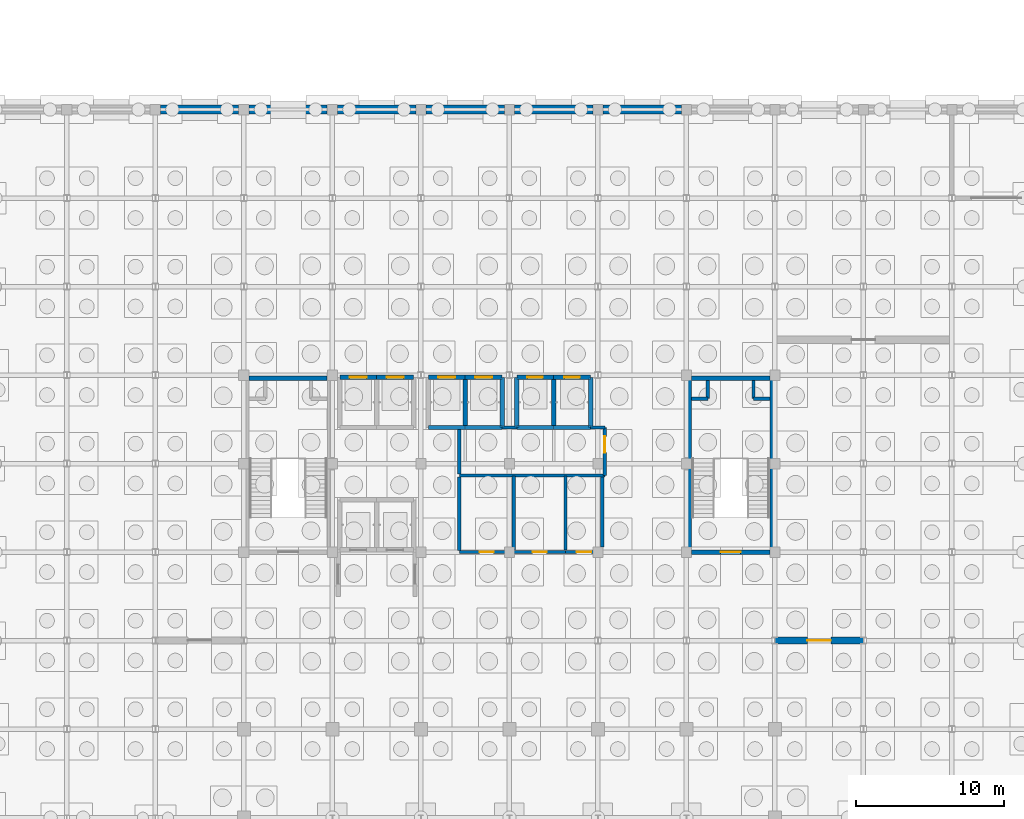
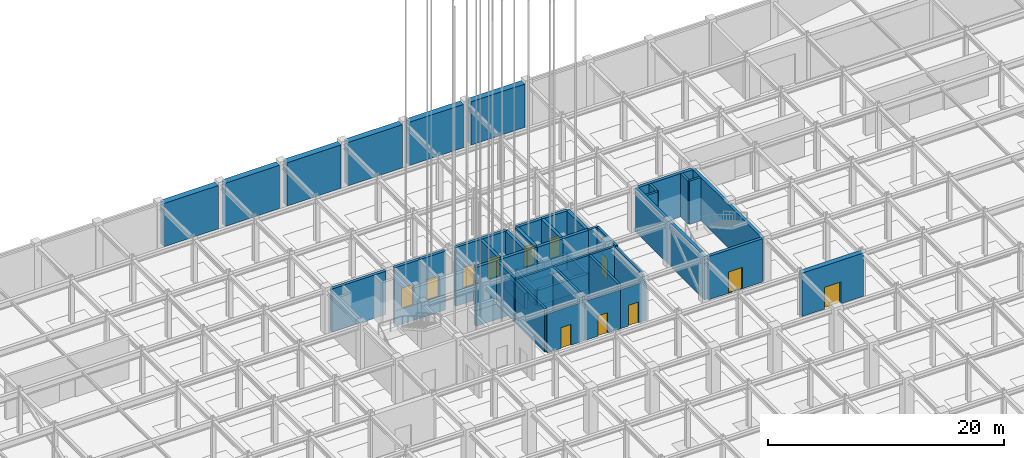
# One storey, part 47 of 69: 51 walls, 12 doors, 12 openings.
"""IFC4 building model written with IfcOpenShell, lengths in metres."""

from ifc_helpers import new_model, si_unit, direction, frame, frame_2d, origin, place, context, subcontext, project, spatial, rectangle, extrude, material, layer, layer_set, type_object, element, fill, save


model = new_model("IFC4")

# Units and contexts
model_context = context("Model", 3, precision=1e-05, world=origin(), true_north=direction((0.0, 1.0)))
body_context = subcontext(model_context, "Body", "Model", "MODEL_VIEW")
ifc_project = project(units=[si_unit("LENGTHUNIT", "METRE"), si_unit("AREAUNIT", "SQUARE_METRE"), si_unit("VOLUMEUNIT", "CUBIC_METRE"), si_unit("PLANEANGLEUNIT", "RADIAN"), si_unit("MASSUNIT", "GRAM", prefix="KILO")], contexts=[model_context])

# Site, building, storey
site_placement = place(None, origin())
site = spatial("IfcSite", under=ifc_project, at=site_placement, CompositionType="ELEMENT")
building_placement = place(site_placement, origin())
building = spatial("IfcBuilding", under=site, at=building_placement, Name="Zlatovratsky Civic Hall", CompositionType="ELEMENT")
storey_placement = place(building_placement, frame((0.0, 0.0, -4.800048828125)))
storey = spatial("IfcBuildingStorey", under=building, at=storey_placement, Name="B1", CompositionType="ELEMENT", Elevation=-4.800048828125)

# Wall, opening, door
ifc_material_1 = material(Name="Concrete C35/45 (B40)", Category="concrete")
ifc_layer_1 = layer(ifc_material_1, 0.47998046875)
ifc_layer_set_1 = layer_set([ifc_layer_1], Name="Concrete C35/45 (B40)")
wall_type_1 = type_object("IfcWallType", Name="Wall_LowerCoreShear_480", PredefinedType="SHEAR", material=ifc_layer_set_1)
wall_1_placement = place(storey_placement, frame((102.0, 78.0, 0.0), z_axis=(0.0, 0.0, 1.0), x_axis=(1.0, 0.0, 0.0)))
wall_1 = element("IfcWall", 1, at=wall_1_placement, inside=storey, type_object=wall_type_1, Name="WL-6046", PredefinedType="SHEAR", context=body_context, shape_type="SweptSolid", body=[
    extrude(rectangle(XDim=6.0, YDim=0.47998046875, at=frame_2d((3.0, 0.0))), origin(), (0.0, 0.0, 1.0), 4.47998046875),
])
opening_1_placement = place(wall_1_placement, frame((2.199951171875, 0.0, 0.0)))
opening_1 = element("IfcOpeningElement", 2, at=opening_1_placement, cuts=wall_1, Name="Opening D-29", PredefinedType="OPENING", context=body_context, shape_type="SweptSolid", body=[
    extrude(rectangle(XDim=1.60009765625, YDim=2.25, at=frame_2d((0.800048828125, 1.125))), frame((0.0, 0.2548828125, 0.0), z_axis=(0.0, -1.0, 0.0), x_axis=(1.0, 0.0, 0.0)), (0.0, 0.0, 1.0), 0.509765625),
])
ifc_material_2 = material(Name="Insulated painted fire-rated steel leaf", Category="steel")
door_type_1 = type_object("IfcDoorType", Name="Door_PlantRoomDouble_1600x2250", OperationType="DOUBLE_DOOR_SINGLE_SWING", PredefinedType="DOOR", material=ifc_material_2)
door_1_placement = place(opening_1_placement, origin())
door_1 = element("IfcDoor", 3, at=door_1_placement, inside=storey, type_object=door_type_1, Name="DR-5215", OperationType="DOUBLE_DOOR_SINGLE_SWING", OverallHeight=2.25, OverallWidth=1.60009765625, PredefinedType="DOOR", context=body_context, shape_type="SweptSolid", body=[
    extrude(rectangle(XDim=1.60009765625, YDim=2.25, at=frame_2d((0.800048828125, 1.125))), frame((0.0, 0.02490234375, 0.0), z_axis=(0.0, -1.0, 0.0), x_axis=(1.0, 0.0, 0.0)), (0.0, 0.0, 1.0), 0.050048828125),
])
fill(opening_1, door_1)

# Walls
ifc_material_3 = material(Name="Acoustic ceramic blockwork", Category="masonry")
ifc_layer_2 = layer(ifc_material_3, 0.219970703125)
ifc_layer_set_2 = layer_set([ifc_layer_2], Name="Acoustic ceramic blockwork")
wall_type_2 = type_object("IfcWallType", Name="Wall_SanitaryWetCore_220", PredefinedType="PARTITIONING", material=ifc_layer_set_2)
wall_2_placement = place(storey_placement, frame((97.449951171875, 94.39990234375, 0.0), z_axis=(0.0, 0.0, 1.0), x_axis=(0.0, 1.0, 0.0)))
element("IfcWall", 4, at=wall_2_placement, inside=storey, type_object=wall_type_2, Name="WL-5163", PredefinedType="PARTITIONING", context=body_context, shape_type="SweptSolid", body=[
    extrude(rectangle(XDim=1.25, YDim=0.219970703125, at=frame_2d((0.625, 0.0))), origin(), (0.0, 0.0, 1.0), 4.47998046875),
])
wall_3_placement = place(storey_placement, frame((96.35009765625, 94.39990234375, 0.0), z_axis=(0.0, 0.0, 1.0), x_axis=(1.0, 0.0, 0.0)))
element("IfcWall", 5, at=wall_3_placement, inside=storey, type_object=wall_type_2, Name="WL-5164", PredefinedType="PARTITIONING", context=body_context, shape_type="SweptSolid", body=[
    extrude(rectangle(XDim=1.099853515625, YDim=0.219970703125, at=frame_2d((0.5498046875, 0.0))), origin(), (0.0, 0.0, 1.0), 4.47998046875),
])
wall_4_placement = place(storey_placement, frame((100.550048828125, 94.39990234375, 0.0), z_axis=(0.0, 0.0, 1.0), x_axis=(0.0, 1.0, 0.0)))
element("IfcWall", 6, at=wall_4_placement, inside=storey, type_object=wall_type_2, Name="WL-5165", PredefinedType="PARTITIONING", context=body_context, shape_type="SweptSolid", body=[
    extrude(rectangle(XDim=1.25, YDim=0.219970703125, at=frame_2d((0.625, 0.0))), origin(), (0.0, 0.0, 1.0), 4.47998046875),
])
wall_5_placement = place(storey_placement, frame((100.550048828125, 94.39990234375, 0.0), z_axis=(0.0, 0.0, 1.0), x_axis=(1.0, 0.0, 0.0)))
element("IfcWall", 7, at=wall_5_placement, inside=storey, type_object=wall_type_2, Name="WL-5166", PredefinedType="PARTITIONING", context=body_context, shape_type="SweptSolid", body=[
    extrude(rectangle(XDim=1.099853515625, YDim=0.219970703125, at=frame_2d((0.5498046875, 0.0))), origin(), (0.0, 0.0, 1.0), 4.47998046875),
])

# Wall, opening, door
wall_6_placement = place(storey_placement, frame((80.60009765625, 84.0, 0.0), z_axis=(0.0, 0.0, 1.0), x_axis=(1.0, 0.0, 0.0)))
wall_6 = element("IfcWall", 8, at=wall_6_placement, inside=storey, type_object=wall_type_2, Name="WL-6035", PredefinedType="PARTITIONING", context=body_context, shape_type="SweptSolid", body=[
    extrude(rectangle(XDim=3.699951171875, YDim=0.219970703125, at=frame_2d((1.85009765625, 0.0))), origin(), (0.0, 0.0, 1.0), 4.0400390625),
])
opening_2_placement = place(wall_6_placement, frame((1.375, 0.0, 0.0)))
opening_2 = element("IfcOpeningElement", 9, at=opening_2_placement, cuts=wall_6, Name="Opening D-21", PredefinedType="OPENING", context=body_context, shape_type="SweptSolid", body=[
    extrude(rectangle(XDim=0.949951171875, YDim=2.14990234375, at=frame_2d((0.47509765625, 1.074951171875))), frame((0.0, 0.125, 0.0), z_axis=(0.0, -1.0, 0.0), x_axis=(1.0, 0.0, 0.0)), (0.0, 0.0, 1.0), 0.249755859375),
])
ifc_material_4 = material(Name="Solid oak joinery in steel frame", Category="steel")
door_type_2 = type_object("IfcDoorType", Name="Door_MensWC_950x2150", OperationType="NOTDEFINED", PredefinedType="DOOR", material=ifc_material_4)
door_2_placement = place(opening_2_placement, origin())
door_2 = element("IfcDoor", 10, at=door_2_placement, inside=storey, type_object=door_type_2, Name="DR-5207", OperationType="SINGLE_SWING_LEFT", OverallHeight=2.14990234375, OverallWidth=0.949951171875, PredefinedType="DOOR", context=body_context, shape_type="SweptSolid", body=[
    extrude(rectangle(XDim=0.949951171875, YDim=2.14990234375, at=frame_2d((0.47509765625, 1.074951171875))), frame((0.0, 0.02490234375, 0.0), z_axis=(0.0, -1.0, 0.0), x_axis=(1.0, 0.0, 0.0)), (0.0, 0.0, 1.0), 0.050048828125),
])
fill(opening_2, door_2)

wall_7_placement = place(storey_placement, frame((84.300048828125, 84.0, 0.0), z_axis=(0.0, 0.0, 1.0), x_axis=(1.0, 0.0, 0.0)))
wall_7 = element("IfcWall", 11, at=wall_7_placement, inside=storey, type_object=wall_type_2, Name="WL-6036", PredefinedType="PARTITIONING", context=body_context, shape_type="SweptSolid", body=[
    extrude(rectangle(XDim=3.5, YDim=0.219970703125, at=frame_2d((1.75, 0.0))), origin(), (0.0, 0.0, 1.0), 4.0400390625),
])
opening_3_placement = place(wall_7_placement, frame((1.27490234375, 0.0, 0.0)))
opening_3 = element("IfcOpeningElement", 12, at=opening_3_placement, cuts=wall_7, Name="Opening D-22", PredefinedType="OPENING", context=body_context, shape_type="SweptSolid", body=[
    extrude(rectangle(XDim=0.949951171875, YDim=2.10009765625, at=frame_2d((0.47509765625, 1.050048828125))), frame((0.0, 0.125, 0.0), z_axis=(0.0, -1.0, 0.0), x_axis=(1.0, 0.0, 0.0)), (0.0, 0.0, 1.0), 0.249755859375),
])
door_type_3 = type_object("IfcDoorType", Name="Door_WomensWC_950x2100", OperationType="NOTDEFINED", PredefinedType="DOOR", material=ifc_material_4)
door_3_placement = place(opening_3_placement, origin())
door_3 = element("IfcDoor", 13, at=door_3_placement, inside=storey, type_object=door_type_3, Name="DR-5208", OperationType="SINGLE_SWING_RIGHT", OverallHeight=2.10009765625, OverallWidth=0.949951171875, PredefinedType="DOOR", context=body_context, shape_type="SweptSolid", body=[
    extrude(rectangle(XDim=0.949951171875, YDim=2.10009765625, at=frame_2d((0.47509765625, 1.050048828125))), frame((0.0, 0.02490234375, 0.0), z_axis=(0.0, -1.0, 0.0), x_axis=(1.0, 0.0, 0.0)), (0.0, 0.0, 1.0), 0.050048828125),
])
fill(opening_3, door_3)

wall_8_placement = place(storey_placement, frame((87.800048828125, 84.0, 0.0), z_axis=(0.0, 0.0, 1.0), x_axis=(1.0, 0.0, 0.0)))
wall_8 = element("IfcWall", 14, at=wall_8_placement, inside=storey, type_object=wall_type_2, Name="WL-6037", PredefinedType="PARTITIONING", context=body_context, shape_type="SweptSolid", body=[
    extrude(rectangle(XDim=2.5, YDim=0.219970703125, at=frame_2d((1.25, 0.0))), origin(), (0.0, 0.0, 1.0), 4.0400390625),
])
opening_4_placement = place(wall_8_placement, frame((0.75, 0.0, 0.0)))
opening_4 = element("IfcOpeningElement", 15, at=opening_4_placement, cuts=wall_8, Name="Opening D-20", PredefinedType="OPENING", context=body_context, shape_type="SweptSolid", body=[
    extrude(rectangle(XDim=1.0, YDim=2.14990234375, at=frame_2d((0.5, 1.074951171875))), frame((0.0, 0.125, 0.0), z_axis=(0.0, -1.0, 0.0), x_axis=(1.0, 0.0, 0.0)), (0.0, 0.0, 1.0), 0.249755859375),
])
door_type_4 = type_object("IfcDoorType", Name="Door_AccessibleWC_1000x2150", OperationType="NOTDEFINED", PredefinedType="DOOR", material=ifc_material_4)
door_4_placement = place(opening_4_placement, origin())
door_4 = element("IfcDoor", 16, at=door_4_placement, inside=storey, type_object=door_type_4, Name="DR-5209", OperationType="SINGLE_SWING_LEFT", OverallHeight=2.14990234375, OverallWidth=1.0, PredefinedType="DOOR", context=body_context, shape_type="SweptSolid", body=[
    extrude(rectangle(XDim=1.0, YDim=2.14990234375, at=frame_2d((0.5, 1.074951171875))), frame((0.0, 0.02490234375, 0.0), z_axis=(0.0, -1.0, 0.0), x_axis=(1.0, 0.0, 0.0)), (0.0, 0.0, 1.0), 0.050048828125),
])
fill(opening_4, door_4)

# Walls
for number, where, z_axis, x_axis, name in (
    (17, (84.300048828125, 84.14990234375, 0.0), (0.0, 0.0, 1.0), (0.0, 1.0, 0.0), "WL-6038"),
    (18, (87.800048828125, 84.14990234375, 0.0), (0.0, 0.0, 1.0), (0.0, 1.0, 0.0), "WL-6039"),
):
    element("IfcWall", number, at=place(storey_placement, frame(where, z_axis=z_axis, x_axis=x_axis)), inside=storey, type_object=wall_type_2, Name=name, PredefinedType="PARTITIONING", context=body_context, shape_type="SweptSolid", body=[
        extrude(rectangle(XDim=5.0, YDim=0.219970703125, at=frame_2d((2.5, 0.0))), origin(), (0.0, 0.0, 1.0), 4.47998046875),
    ])
wall_9_placement = place(storey_placement, frame((80.60009765625, 89.199951171875, 0.0), z_axis=(0.0, 0.0, 1.0), x_axis=(1.0, 0.0, 0.0)))
element("IfcWall", 19, at=wall_9_placement, inside=storey, type_object=wall_type_2, Name="WL-6040", PredefinedType="PARTITIONING", context=body_context, shape_type="SweptSolid", body=[
    extrude(rectangle(XDim=9.869873046875, YDim=0.219970703125, at=frame_2d((4.93505859375, 0.0))), origin(), (0.0, 0.0, 1.0), 4.47998046875),
])

# Wall, opening, door
wall_10_placement = place(storey_placement, frame((90.469970703125, 89.199951171875, 0.0), z_axis=(0.0, 0.0, 1.0), x_axis=(0.0, 1.0, 0.0)))
wall_10 = element("IfcWall", 20, at=wall_10_placement, inside=storey, type_object=wall_type_2, Name="WL-6041", PredefinedType="PARTITIONING", context=body_context, shape_type="SweptSolid", body=[
    extrude(rectangle(XDim=3.25, YDim=0.219970703125, at=frame_2d((1.625, 0.0))), origin(), (0.0, 0.0, 1.0), 4.47998046875),
])
opening_5_placement = place(wall_10_placement, frame((1.550048828125, 0.0, 0.0)))
opening_5 = element("IfcOpeningElement", 21, at=opening_5_placement, cuts=wall_10, Name="Opening D-30", PredefinedType="OPENING", context=body_context, shape_type="SweptSolid", body=[
    extrude(rectangle(XDim=1.10009765625, YDim=2.14990234375, at=frame_2d((0.550048828125, 1.074951171875))), frame((0.0, 0.125, 0.0), z_axis=(0.0, -1.0, 0.0), x_axis=(1.0, 0.0, 0.0)), (0.0, 0.0, 1.0), 0.249755859375),
])
door_type_5 = type_object("IfcDoorType", Name="Door_ElectricalRoom_1100x2150", OperationType="NOTDEFINED", PredefinedType="DOOR", material=ifc_material_2)
door_5_placement = place(opening_5_placement, origin())
door_5 = element("IfcDoor", 22, at=door_5_placement, inside=storey, type_object=door_type_5, Name="DR-5210", OperationType="SINGLE_SWING_RIGHT", OverallHeight=2.14990234375, OverallWidth=1.10009765625, PredefinedType="DOOR", context=body_context, shape_type="SweptSolid", body=[
    extrude(rectangle(XDim=1.10009765625, YDim=2.14990234375, at=frame_2d((0.550048828125, 1.074951171875))), frame((0.0, 0.02490234375, 0.0), z_axis=(0.0, -1.0, 0.0), x_axis=(1.0, 0.0, 0.0)), (0.0, 0.0, 1.0), 0.050048828125),
])
fill(opening_5, door_5)

# Walls
wall_11_placement = place(storey_placement, frame((80.60009765625, 84.110107421875, 0.0), z_axis=(0.0, 0.0, 1.0), x_axis=(0.0, 1.0, 0.0)))
element("IfcWall", 23, at=wall_11_placement, inside=storey, type_object=wall_type_2, Name="WL-6051", PredefinedType="PARTITIONING", context=body_context, shape_type="SweptSolid", body=[
    extrude(rectangle(XDim=4.97998046875, YDim=0.219970703125, at=frame_2d((2.489990234375, 0.0))), origin(), (0.0, 0.0, 1.0), 4.47998046875),
])
wall_12_placement = place(storey_placement, frame((90.300048828125, 84.360107421875, 0.0), z_axis=(0.0, 0.0, 1.0), x_axis=(0.0, 1.0, 0.0)))
element("IfcWall", 24, at=wall_12_placement, inside=storey, type_object=wall_type_2, Name="WL-6052", PredefinedType="PARTITIONING", context=body_context, shape_type="SweptSolid", body=[
    extrude(rectangle(XDim=4.72998046875, YDim=0.219970703125, at=frame_2d((2.364990234375, 0.0))), origin(), (0.0, 0.0, 1.0), 4.47998046875),
])
wall_13_placement = place(storey_placement, frame((80.60009765625, 89.31005859375, 0.0), z_axis=(0.0, 0.0, 1.0), x_axis=(0.0, 1.0, 0.0)))
element("IfcWall", 25, at=wall_13_placement, inside=storey, type_object=wall_type_2, Name="WL-6053", PredefinedType="PARTITIONING", context=body_context, shape_type="SweptSolid", body=[
    extrude(rectangle(XDim=2.989990234375, YDim=0.219970703125, at=frame_2d((1.4951171875, 0.0))), origin(), (0.0, 0.0, 1.0), 4.47998046875),
])
wall_14_placement = place(storey_placement, frame((83.5, 92.449951171875, 0.0), z_axis=(0.0, 0.0, 1.0), x_axis=(1.0, 0.0, 0.0)))
element("IfcWall", 26, at=wall_14_placement, inside=storey, type_object=wall_type_2, Name="WL-6054", PredefinedType="PARTITIONING", context=body_context, shape_type="SweptSolid", body=[
    extrude(rectangle(XDim=1.0, YDim=0.219970703125, at=frame_2d((0.5, 0.0))), origin(), (0.0, 0.0, 1.0), 4.47998046875),
])
wall_15_placement = place(storey_placement, frame((89.5, 92.449951171875, 0.0), z_axis=(0.0, 0.0, 1.0), x_axis=(1.0, 0.0, 0.0)))
element("IfcWall", 27, at=wall_15_placement, inside=storey, type_object=wall_type_2, Name="WL-6055", PredefinedType="PARTITIONING", context=body_context, shape_type="SweptSolid", body=[
    extrude(rectangle(XDim=0.969970703125, YDim=0.219970703125, at=frame_2d((0.48486328125, 0.0))), origin(), (0.0, 0.0, 1.0), 4.47998046875),
])
ifc_layer_3 = layer(ifc_material_1, 0.300048828125)
ifc_layer_set_3 = layer_set([ifc_layer_3], Name="Concrete C35/45 (B40)")
wall_type_3 = type_object("IfcWallType", Name="Wall_StairAndLiftShaft_300", PredefinedType="SHEAR", material=ifc_layer_set_3)
wall_16_placement = place(storey_placement, frame((66.35009765625, 95.800048828125, 0.0), z_axis=(0.0, 0.0, 1.0), x_axis=(1.0, 0.0, 0.0)))
element("IfcWall", 28, at=wall_16_placement, inside=storey, type_object=wall_type_3, Name="WL-5002", PredefinedType="SHEAR", context=body_context, shape_type="SweptSolid", body=[
    extrude(rectangle(XDim=5.2998046875, YDim=0.300048828125, at=frame_2d((2.64990234375, 0.0))), origin(), (0.0, 0.0, 1.0), 4.47998046875),
])

# Wall, opening, door
wall_17_placement = place(storey_placement, frame((96.35009765625, 84.0, 0.0), z_axis=(0.0, 0.0, 1.0), x_axis=(1.0, 0.0, 0.0)))
wall_17 = element("IfcWall", 29, at=wall_17_placement, inside=storey, type_object=wall_type_3, Name="WL-5159", PredefinedType="SHEAR", context=body_context, shape_type="SweptSolid", body=[
    extrude(rectangle(XDim=5.2998046875, YDim=0.300048828125, at=frame_2d((2.64990234375, 0.0))), origin(), (0.0, 0.0, 1.0), 4.47998046875),
])
opening_6_placement = place(wall_17_placement, frame((1.97509765625, 0.0, 0.0)))
opening_6 = element("IfcOpeningElement", 30, at=opening_6_placement, cuts=wall_17, Name="Opening D-17", PredefinedType="OPENING", context=body_context, shape_type="SweptSolid", body=[
    extrude(rectangle(XDim=1.35009765625, YDim=2.199951171875, at=frame_2d((0.675048828125, 1.10009765625))), frame((0.0, 0.1650390625, 0.0), z_axis=(0.0, -1.0, 0.0), x_axis=(1.0, 0.0, 0.0)), (0.0, 0.0, 1.0), 0.329833984375),
])
door_type_6 = type_object("IfcDoorType", Name="Door_StairwellFireTower_1350x2200", OperationType="NOTDEFINED", PredefinedType="DOOR", material=ifc_material_2)
door_6_placement = place(opening_6_placement, origin())
door_6 = element("IfcDoor", 31, at=door_6_placement, inside=storey, type_object=door_type_6, Name="DR-5020", OperationType="SINGLE_SWING_LEFT", OverallHeight=2.199951171875, OverallWidth=1.35009765625, PredefinedType="DOOR", context=body_context, shape_type="SweptSolid", body=[
    extrude(rectangle(XDim=1.35009765625, YDim=2.199951171875, at=frame_2d((0.675048828125, 1.10009765625))), frame((0.0, 0.02490234375, 0.0), z_axis=(0.0, -1.0, 0.0), x_axis=(1.0, 0.0, 0.0)), (0.0, 0.0, 1.0), 0.050048828125),
])
fill(opening_6, door_6)

# Walls
wall_18_placement = place(storey_placement, frame((96.35009765625, 95.800048828125, 0.0), z_axis=(0.0, 0.0, 1.0), x_axis=(1.0, 0.0, 0.0)))
element("IfcWall", 32, at=wall_18_placement, inside=storey, type_object=wall_type_3, Name="WL-5160", PredefinedType="SHEAR", context=body_context, shape_type="SweptSolid", body=[
    extrude(rectangle(XDim=5.2998046875, YDim=0.300048828125, at=frame_2d((2.64990234375, 0.0))), origin(), (0.0, 0.0, 1.0), 4.47998046875),
])
for number, where, z_axis, x_axis, name in (
    (33, (96.199951171875, 84.0, 0.0), (0.0, 0.0, 1.0), (0.0, 1.0, 0.0), "WL-5161"),
    (34, (101.800048828125, 84.0, 0.0), (0.0, 0.0, 1.0), (0.0, 1.0, 0.0), "WL-5162"),
):
    element("IfcWall", number, at=place(storey_placement, frame(where, z_axis=z_axis, x_axis=x_axis)), inside=storey, type_object=wall_type_3, Name=name, PredefinedType="SHEAR", context=body_context, shape_type="SweptSolid", body=[
        extrude(rectangle(XDim=11.800048828125, YDim=0.300048828125, at=frame_2d((5.89990234375, 0.0))), origin(), (0.0, 0.0, 1.0), 4.47998046875),
    ])
for number, where, z_axis, x_axis, name in (
    (35, (72.5, 95.85009765625, -1.599853515625), (0.0, 0.0, 1.0), (1.0, 0.0, 0.0), "WL-5474"),
    (36, (78.5, 92.449951171875, -1.599853515625), (0.0, 0.0, 1.0), (1.0, 0.0, 0.0), "WL-5477"),
    (37, (78.5, 95.85009765625, -1.599853515625), (0.0, 0.0, 1.0), (1.0, 0.0, 0.0), "WL-5478"),
):
    element("IfcWall", number, at=place(storey_placement, frame(where, z_axis=z_axis, x_axis=x_axis)), inside=storey, type_object=wall_type_3, Name=name, PredefinedType="SHEAR", context=body_context, shape_type="SweptSolid", body=[
        extrude(rectangle(XDim=5.0, YDim=0.300048828125, at=frame_2d((2.5, 0.0))), origin(), (0.0, 0.0, 1.0), 1.599853515625),
    ])
wall_19_placement = place(storey_placement, frame((83.5, 92.449951171875, -1.599853515625), z_axis=(0.0, 0.0, 1.0), x_axis=(0.0, 1.0, 0.0)))
element("IfcWall", 38, at=wall_19_placement, inside=storey, type_object=wall_type_3, Name="WL-5480", PredefinedType="SHEAR", context=body_context, shape_type="SweptSolid", body=[
    extrude(rectangle(XDim=3.400146484375, YDim=0.300048828125, at=frame_2d((1.7001953125, 0.0))), origin(), (0.0, 0.0, 1.0), 1.599853515625),
])
for number, where, z_axis, x_axis, name in (
    (39, (84.5, 92.449951171875, -1.599853515625), (0.0, 0.0, 1.0), (1.0, 0.0, 0.0), "WL-5481"),
    (40, (84.5, 95.85009765625, -1.599853515625), (0.0, 0.0, 1.0), (1.0, 0.0, 0.0), "WL-5482"),
):
    element("IfcWall", number, at=place(storey_placement, frame(where, z_axis=z_axis, x_axis=x_axis)), inside=storey, type_object=wall_type_3, Name=name, PredefinedType="SHEAR", context=body_context, shape_type="SweptSolid", body=[
        extrude(rectangle(XDim=5.0, YDim=0.300048828125, at=frame_2d((2.5, 0.0))), origin(), (0.0, 0.0, 1.0), 1.599853515625),
    ])
for number, where, z_axis, x_axis, name in (
    (41, (84.5, 92.449951171875, -1.599853515625), (0.0, 0.0, 1.0), (0.0, 1.0, 0.0), "WL-5483"),
    (42, (89.5, 92.449951171875, -1.599853515625), (0.0, 0.0, 1.0), (0.0, 1.0, 0.0), "WL-5484"),
):
    element("IfcWall", number, at=place(storey_placement, frame(where, z_axis=z_axis, x_axis=x_axis)), inside=storey, type_object=wall_type_3, Name=name, PredefinedType="SHEAR", context=body_context, shape_type="SweptSolid", body=[
        extrude(rectangle(XDim=3.400146484375, YDim=0.300048828125, at=frame_2d((1.7001953125, 0.0))), origin(), (0.0, 0.0, 1.0), 1.599853515625),
    ])

# Wall, opening, door
wall_20_placement = place(storey_placement, frame((72.5, 95.85009765625, 0.0), z_axis=(0.0, 0.0, 1.0), x_axis=(1.0, 0.0, 0.0)))
wall_20 = element("IfcWall", 43, at=wall_20_placement, inside=storey, type_object=wall_type_3, Name="WL-5626", PredefinedType="SHEAR", context=body_context, shape_type="SweptSolid", body=[
    extrude(rectangle(XDim=2.5, YDim=0.300048828125, at=frame_2d((1.25, 0.0))), origin(), (0.0, 0.0, 1.0), 4.47998046875),
])
opening_7_placement = place(wall_20_placement, frame((0.675048828125, 0.0, 0.0)))
opening_7 = element("IfcOpeningElement", 44, at=opening_7_placement, cuts=wall_20, Name="Opening LD-02", PredefinedType="OPENING", context=body_context, shape_type="SweptSolid", body=[
    extrude(rectangle(XDim=1.14990234375, YDim=2.14990234375, at=frame_2d((0.574951171875, 1.074951171875))), frame((0.0, 0.1650390625, 0.0), z_axis=(0.0, -1.0, 0.0), x_axis=(1.0, 0.0, 0.0)), (0.0, 0.0, 1.0), 0.329833984375),
])
ifc_material_5 = material(Name="Brushed stainless steel AISI 304", Category="steel")
door_type_7 = type_object("IfcDoorType", Name="Door_LiftLandingHighRise_1150x2150", OperationType="DOUBLE_DOOR_SLIDING", PredefinedType="DOOR", material=ifc_material_5)
door_7_placement = place(opening_7_placement, origin())
door_7 = element("IfcDoor", 45, at=door_7_placement, inside=storey, type_object=door_type_7, Name="Lift landing door LD-5097", OperationType="DOUBLE_DOOR_SLIDING", OverallHeight=2.14990234375, OverallWidth=1.14990234375, PredefinedType="DOOR", context=body_context, shape_type="SweptSolid", body=[
    extrude(rectangle(XDim=1.14990234375, YDim=2.14990234375, at=frame_2d((0.574951171875, 1.074951171875))), frame((0.0, 0.02490234375, 0.0), z_axis=(0.0, -1.0, 0.0), x_axis=(1.0, 0.0, 0.0)), (0.0, 0.0, 1.0), 0.050048828125),
])
fill(opening_7, door_7)

wall_21_placement = place(storey_placement, frame((75.0, 95.85009765625, 0.0), z_axis=(0.0, 0.0, 1.0), x_axis=(1.0, 0.0, 0.0)))
wall_21 = element("IfcWall", 46, at=wall_21_placement, inside=storey, type_object=wall_type_3, Name="WL-5683", PredefinedType="SHEAR", context=body_context, shape_type="SweptSolid", body=[
    extrude(rectangle(XDim=2.5, YDim=0.300048828125, at=frame_2d((1.25, 0.0))), origin(), (0.0, 0.0, 1.0), 4.47998046875),
])
opening_8_placement = place(wall_21_placement, frame((0.675048828125, 0.0, 0.0)))
opening_8 = element("IfcOpeningElement", 47, at=opening_8_placement, cuts=wall_21, Name="Opening LD-02", PredefinedType="OPENING", context=body_context, shape_type="SweptSolid", body=[
    extrude(rectangle(XDim=1.14990234375, YDim=2.14990234375, at=frame_2d((0.574951171875, 1.074951171875))), frame((0.0, 0.1650390625, 0.0), z_axis=(0.0, -1.0, 0.0), x_axis=(1.0, 0.0, 0.0)), (0.0, 0.0, 1.0), 0.329833984375),
])
door_8_placement = place(opening_8_placement, origin())
door_8 = element("IfcDoor", 48, at=door_8_placement, inside=storey, type_object=door_type_7, Name="Lift landing door LD-5116", OperationType="DOUBLE_DOOR_SLIDING", OverallHeight=2.14990234375, OverallWidth=1.14990234375, PredefinedType="DOOR", context=body_context, shape_type="SweptSolid", body=[
    extrude(rectangle(XDim=1.14990234375, YDim=2.14990234375, at=frame_2d((0.574951171875, 1.074951171875))), frame((0.0, 0.02490234375, 0.0), z_axis=(0.0, -1.0, 0.0), x_axis=(1.0, 0.0, 0.0)), (0.0, 0.0, 1.0), 0.050048828125),
])
fill(opening_8, door_8)

wall_22_placement = place(storey_placement, frame((78.5, 95.85009765625, 0.0), z_axis=(0.0, 0.0, 1.0), x_axis=(1.0, 0.0, 0.0)))
wall_22 = element("IfcWall", 49, at=wall_22_placement, inside=storey, type_object=wall_type_3, Name="WL-5759", PredefinedType="SHEAR", context=body_context, shape_type="SweptSolid", body=[
    extrude(rectangle(XDim=2.5, YDim=0.300048828125, at=frame_2d((1.25, 0.0))), origin(), (0.0, 0.0, 1.0), 4.47998046875),
])
opening_9_placement = place(wall_22_placement, frame((0.675048828125, 0.0, 0.0)))
opening_9 = element("IfcOpeningElement", 50, at=opening_9_placement, cuts=wall_22, Name="Opening LD-02", PredefinedType="OPENING", context=body_context, shape_type="SweptSolid", body=[
    extrude(rectangle(XDim=1.14990234375, YDim=2.14990234375, at=frame_2d((0.574951171875, 1.074951171875))), frame((0.0, 0.1650390625, 0.0), z_axis=(0.0, -1.0, 0.0), x_axis=(1.0, 0.0, 0.0)), (0.0, 0.0, 1.0), 0.329833984375),
])
door_9_placement = place(opening_9_placement, origin())
door_9 = element("IfcDoor", 51, at=door_9_placement, inside=storey, type_object=door_type_7, Name="Lift landing door LD-5135", OperationType="DOUBLE_DOOR_SLIDING", OverallHeight=2.14990234375, OverallWidth=1.14990234375, PredefinedType="DOOR", context=body_context, shape_type="SweptSolid", body=[
    extrude(rectangle(XDim=1.14990234375, YDim=2.14990234375, at=frame_2d((0.574951171875, 1.074951171875))), frame((0.0, 0.02490234375, 0.0), z_axis=(0.0, -1.0, 0.0), x_axis=(1.0, 0.0, 0.0)), (0.0, 0.0, 1.0), 0.050048828125),
])
fill(opening_9, door_9)

# Wall
wall_23_placement = place(storey_placement, frame((78.5, 92.449951171875, 0.0), z_axis=(0.0, 0.0, 1.0), x_axis=(1.0, 0.0, 0.0)))
element("IfcWall", 52, at=wall_23_placement, inside=storey, type_object=wall_type_3, Name="WL-5760", PredefinedType="SHEAR", context=body_context, shape_type="SweptSolid", body=[
    extrude(rectangle(XDim=2.5, YDim=0.300048828125, at=frame_2d((1.25, 0.0))), origin(), (0.0, 0.0, 1.0), 4.47998046875),
])

# Wall, opening, door
wall_24_placement = place(storey_placement, frame((81.0, 95.85009765625, 0.0), z_axis=(0.0, 0.0, 1.0), x_axis=(1.0, 0.0, 0.0)))
wall_24 = element("IfcWall", 53, at=wall_24_placement, inside=storey, type_object=wall_type_3, Name="WL-5816", PredefinedType="SHEAR", context=body_context, shape_type="SweptSolid", body=[
    extrude(rectangle(XDim=2.5, YDim=0.300048828125, at=frame_2d((1.25, 0.0))), origin(), (0.0, 0.0, 1.0), 4.47998046875),
])
opening_10_placement = place(wall_24_placement, frame((0.675048828125, 0.0, 0.0)))
opening_10 = element("IfcOpeningElement", 54, at=opening_10_placement, cuts=wall_24, Name="Opening LD-02", PredefinedType="OPENING", context=body_context, shape_type="SweptSolid", body=[
    extrude(rectangle(XDim=1.14990234375, YDim=2.14990234375, at=frame_2d((0.574951171875, 1.074951171875))), frame((0.0, 0.1650390625, 0.0), z_axis=(0.0, -1.0, 0.0), x_axis=(1.0, 0.0, 0.0)), (0.0, 0.0, 1.0), 0.329833984375),
])
door_10_placement = place(opening_10_placement, origin())
door_10 = element("IfcDoor", 55, at=door_10_placement, inside=storey, type_object=door_type_7, Name="Lift landing door LD-5154", OperationType="DOUBLE_DOOR_SLIDING", OverallHeight=2.14990234375, OverallWidth=1.14990234375, PredefinedType="DOOR", context=body_context, shape_type="SweptSolid", body=[
    extrude(rectangle(XDim=1.14990234375, YDim=2.14990234375, at=frame_2d((0.574951171875, 1.074951171875))), frame((0.0, 0.02490234375, 0.0), z_axis=(0.0, -1.0, 0.0), x_axis=(1.0, 0.0, 0.0)), (0.0, 0.0, 1.0), 0.050048828125),
])
fill(opening_10, door_10)

# Walls
wall_25_placement = place(storey_placement, frame((81.0, 92.449951171875, 0.0), z_axis=(0.0, 0.0, 1.0), x_axis=(1.0, 0.0, 0.0)))
element("IfcWall", 56, at=wall_25_placement, inside=storey, type_object=wall_type_3, Name="WL-5817", PredefinedType="SHEAR", context=body_context, shape_type="SweptSolid", body=[
    extrude(rectangle(XDim=2.5, YDim=0.300048828125, at=frame_2d((1.25, 0.0))), origin(), (0.0, 0.0, 1.0), 4.47998046875),
])
for number, where, z_axis, x_axis, name in (
    (57, (81.0, 92.449951171875, 0.0), (0.0, 0.0, 1.0), (0.0, 1.0, 0.0), "WL-5818"),
    (58, (83.5, 92.449951171875, 0.0), (0.0, 0.0, 1.0), (0.0, 1.0, 0.0), "WL-5819"),
):
    element("IfcWall", number, at=place(storey_placement, frame(where, z_axis=z_axis, x_axis=x_axis)), inside=storey, type_object=wall_type_3, Name=name, PredefinedType="SHEAR", context=body_context, shape_type="SweptSolid", body=[
        extrude(rectangle(XDim=3.400146484375, YDim=0.300048828125, at=frame_2d((1.7001953125, 0.0))), origin(), (0.0, 0.0, 1.0), 4.47998046875),
    ])

# Wall, opening, door
wall_26_placement = place(storey_placement, frame((84.5, 95.85009765625, 0.0), z_axis=(0.0, 0.0, 1.0), x_axis=(1.0, 0.0, 0.0)))
wall_26 = element("IfcWall", 59, at=wall_26_placement, inside=storey, type_object=wall_type_3, Name="WL-5892", PredefinedType="SHEAR", context=body_context, shape_type="SweptSolid", body=[
    extrude(rectangle(XDim=2.5, YDim=0.300048828125, at=frame_2d((1.25, 0.0))), origin(), (0.0, 0.0, 1.0), 4.47998046875),
])
opening_11_placement = place(wall_26_placement, frame((0.72509765625, 0.0, 0.0)))
opening_11 = element("IfcOpeningElement", 60, at=opening_11_placement, cuts=wall_26, Name="Opening LD-03", PredefinedType="OPENING", context=body_context, shape_type="SweptSolid", body=[
    extrude(rectangle(XDim=1.050048828125, YDim=2.10009765625, at=frame_2d((0.52490234375, 1.050048828125))), frame((0.0, 0.1650390625, 0.0), z_axis=(0.0, -1.0, 0.0), x_axis=(1.0, 0.0, 0.0)), (0.0, 0.0, 1.0), 0.329833984375),
])
door_type_8 = type_object("IfcDoorType", Name="Door_LiftLandingMidRise_1050x2100", OperationType="DOUBLE_DOOR_SLIDING", PredefinedType="DOOR", material=ifc_material_5)
door_11_placement = place(opening_11_placement, origin())
door_11 = element("IfcDoor", 61, at=door_11_placement, inside=storey, type_object=door_type_8, Name="Lift landing door LD-5173", OperationType="DOUBLE_DOOR_SLIDING", OverallHeight=2.10009765625, OverallWidth=1.050048828125, PredefinedType="DOOR", context=body_context, shape_type="SweptSolid", body=[
    extrude(rectangle(XDim=1.050048828125, YDim=2.10009765625, at=frame_2d((0.52490234375, 1.050048828125))), frame((0.0, 0.02490234375, 0.0), z_axis=(0.0, -1.0, 0.0), x_axis=(1.0, 0.0, 0.0)), (0.0, 0.0, 1.0), 0.050048828125),
])
fill(opening_11, door_11)

# Walls
wall_27_placement = place(storey_placement, frame((84.5, 92.449951171875, 0.0), z_axis=(0.0, 0.0, 1.0), x_axis=(1.0, 0.0, 0.0)))
element("IfcWall", 62, at=wall_27_placement, inside=storey, type_object=wall_type_3, Name="WL-5893", PredefinedType="SHEAR", context=body_context, shape_type="SweptSolid", body=[
    extrude(rectangle(XDim=2.5, YDim=0.300048828125, at=frame_2d((1.25, 0.0))), origin(), (0.0, 0.0, 1.0), 4.47998046875),
])
wall_28_placement = place(storey_placement, frame((84.5, 92.449951171875, 0.0), z_axis=(0.0, 0.0, 1.0), x_axis=(0.0, 1.0, 0.0)))
element("IfcWall", 63, at=wall_28_placement, inside=storey, type_object=wall_type_3, Name="WL-5894", PredefinedType="SHEAR", context=body_context, shape_type="SweptSolid", body=[
    extrude(rectangle(XDim=3.400146484375, YDim=0.300048828125, at=frame_2d((1.7001953125, 0.0))), origin(), (0.0, 0.0, 1.0), 4.47998046875),
])

# Wall, opening, door
wall_29_placement = place(storey_placement, frame((87.0, 95.85009765625, 0.0), z_axis=(0.0, 0.0, 1.0), x_axis=(1.0, 0.0, 0.0)))
wall_29 = element("IfcWall", 64, at=wall_29_placement, inside=storey, type_object=wall_type_3, Name="WL-5925", PredefinedType="SHEAR", context=body_context, shape_type="SweptSolid", body=[
    extrude(rectangle(XDim=2.5, YDim=0.300048828125, at=frame_2d((1.25, 0.0))), origin(), (0.0, 0.0, 1.0), 4.47998046875),
])
opening_12_placement = place(wall_29_placement, frame((0.72509765625, 0.0, 0.0)))
opening_12 = element("IfcOpeningElement", 65, at=opening_12_placement, cuts=wall_29, Name="Opening LD-03", PredefinedType="OPENING", context=body_context, shape_type="SweptSolid", body=[
    extrude(rectangle(XDim=1.050048828125, YDim=2.10009765625, at=frame_2d((0.52490234375, 1.050048828125))), frame((0.0, 0.1650390625, 0.0), z_axis=(0.0, -1.0, 0.0), x_axis=(1.0, 0.0, 0.0)), (0.0, 0.0, 1.0), 0.329833984375),
])
door_12_placement = place(opening_12_placement, origin())
door_12 = element("IfcDoor", 66, at=door_12_placement, inside=storey, type_object=door_type_8, Name="Lift landing door LD-5184", OperationType="DOUBLE_DOOR_SLIDING", OverallHeight=2.10009765625, OverallWidth=1.050048828125, PredefinedType="DOOR", context=body_context, shape_type="SweptSolid", body=[
    extrude(rectangle(XDim=1.050048828125, YDim=2.10009765625, at=frame_2d((0.52490234375, 1.050048828125))), frame((0.0, 0.02490234375, 0.0), z_axis=(0.0, -1.0, 0.0), x_axis=(1.0, 0.0, 0.0)), (0.0, 0.0, 1.0), 0.050048828125),
])
fill(opening_12, door_12)

# Walls
wall_30_placement = place(storey_placement, frame((87.0, 92.449951171875, 0.0), z_axis=(0.0, 0.0, 1.0), x_axis=(1.0, 0.0, 0.0)))
element("IfcWall", 67, at=wall_30_placement, inside=storey, type_object=wall_type_3, Name="WL-5926", PredefinedType="SHEAR", context=body_context, shape_type="SweptSolid", body=[
    extrude(rectangle(XDim=2.5, YDim=0.300048828125, at=frame_2d((1.25, 0.0))), origin(), (0.0, 0.0, 1.0), 4.47998046875),
])
for number, where, z_axis, x_axis, name in (
    (68, (87.0, 92.449951171875, 0.0), (0.0, 0.0, 1.0), (0.0, 1.0, 0.0), "WL-5927"),
    (69, (89.5, 92.449951171875, 0.0), (0.0, 0.0, 1.0), (0.0, 1.0, 0.0), "WL-5928"),
):
    element("IfcWall", number, at=place(storey_placement, frame(where, z_axis=z_axis, x_axis=x_axis)), inside=storey, type_object=wall_type_3, Name=name, PredefinedType="SHEAR", context=body_context, shape_type="SweptSolid", body=[
        extrude(rectangle(XDim=3.400146484375, YDim=0.300048828125, at=frame_2d((1.7001953125, 0.0))), origin(), (0.0, 0.0, 1.0), 4.47998046875),
    ])
ifc_layer_4 = layer(ifc_material_1, 0.60009765625)
ifc_layer_set_4 = layer_set([ifc_layer_4], Name="Concrete C35/45 (B40)")
wall_type_4 = type_object("IfcWallType", Name="Wall_SubstructureRetaining_600", PredefinedType="SHEAR", material=ifc_layer_set_4)
for number, where, z_axis, x_axis, name in (
    (70, (60.35009765625, 114.0, 0.0), (0.0, 0.0, 1.0), (1.0, 0.0, 0.0), "WL-0030"),
    (71, (66.35009765625, 114.0, 0.0), (0.0, 0.0, 1.0), (1.0, 0.0, 0.0), "WL-0031"),
    (72, (72.35009765625, 114.0, 0.0), (0.0, 0.0, 1.0), (1.0, 0.0, 0.0), "WL-0032"),
    (73, (78.35009765625, 114.0, 0.0), (0.0, 0.0, 1.0), (1.0, 0.0, 0.0), "WL-0033"),
    (74, (84.35009765625, 114.0, 0.0), (0.0, 0.0, 1.0), (1.0, 0.0, 0.0), "WL-0034"),
    (75, (90.35009765625, 114.0, 0.0), (0.0, 0.0, 1.0), (1.0, 0.0, 0.0), "WL-0035"),
):
    element("IfcWall", number, at=place(storey_placement, frame(where, z_axis=z_axis, x_axis=x_axis)), inside=storey, type_object=wall_type_4, Name=name, PredefinedType="SHEAR", context=body_context, shape_type="SweptSolid", body=[
        extrude(rectangle(XDim=5.2998046875, YDim=0.60009765625, at=frame_2d((2.64990234375, 0.0))), origin(), (0.0, 0.0, 1.0), 4.47998046875),
    ])

save(model, "model.ifc")
